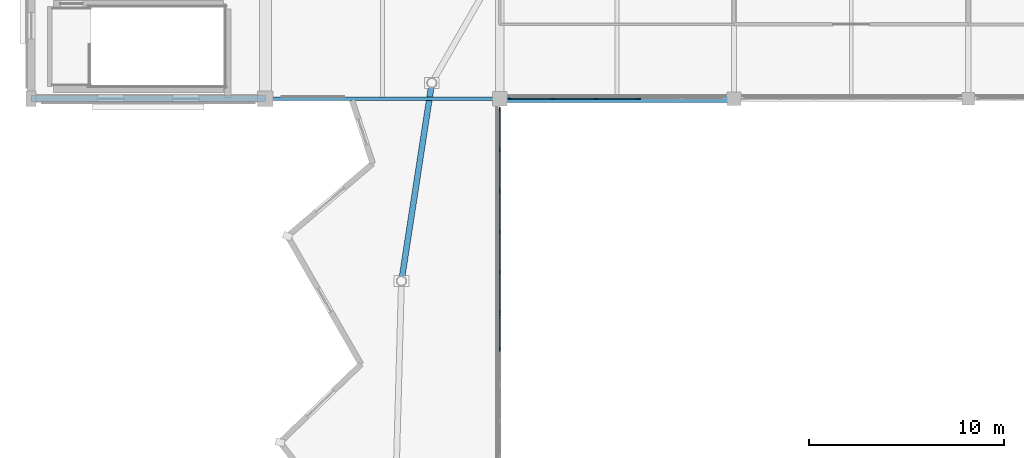
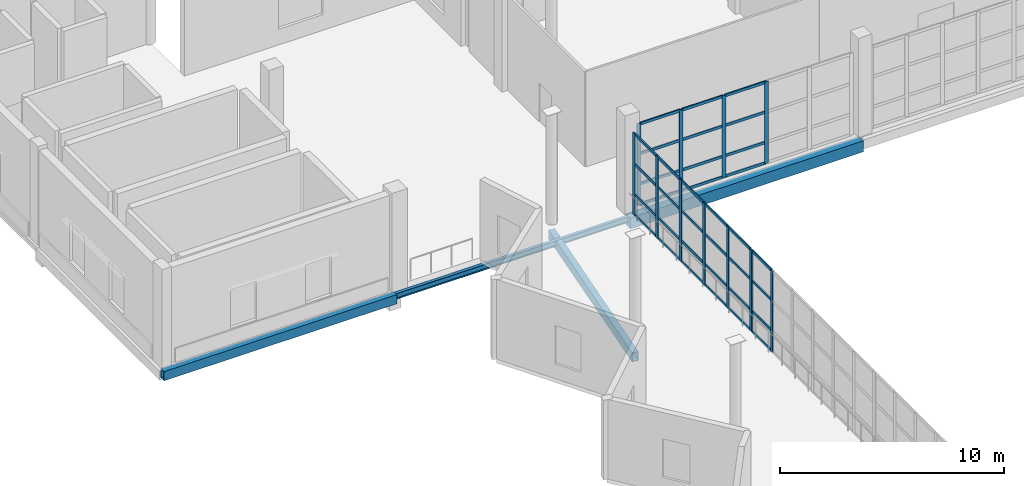
# One storey, part 21 of 49: 48 members, 4 beams, 3 elements without a shape of their own.
"""IFC4 building model written with IfcOpenShell, lengths in metres."""

from ifc_helpers import new_model, si_unit, direction, frame, origin, origin_2d, place, context, subcontext, project, spatial, rectangle, hollow_rectangle, i_section, extrude, material, material_profile, profile_set, type_object, element, aggregate, save


model = new_model("IFC4")

# Units and contexts
model_context = context("Model", 3, precision=1e-05, world=origin(), true_north=direction((0.0, 1.0)))
body_context = subcontext(model_context, "Body", "Model", "MODEL_VIEW")
ifc_project = project(units=[si_unit("LENGTHUNIT", "METRE"), si_unit("AREAUNIT", "SQUARE_METRE"), si_unit("VOLUMEUNIT", "CUBIC_METRE"), si_unit("PLANEANGLEUNIT", "RADIAN"), si_unit("MASSUNIT", "GRAM", prefix="KILO")], contexts=[model_context])

# Site, building, storey
site_placement = place(None, origin())
site = spatial("IfcSite", under=ifc_project, at=site_placement, CompositionType="ELEMENT")
building_placement = place(site_placement, origin())
building = spatial("IfcBuilding", under=site, at=building_placement, Name="Luwafu Chhajja Arena", CompositionType="ELEMENT")
storey_placement = place(building_placement, frame((0.0, 0.0, 24.300048828125)))
storey = spatial("IfcBuildingStorey", under=building, at=storey_placement, Name="L05", CompositionType="ELEMENT", Elevation=24.300048828125)

# Curtain wall, members
ifc_material_1 = material(Name="Anodised bronze aluminium", Category="aluminium")
curtain_wall_type = type_object("IfcCurtainWallType", Name="VIP Club Terrace Curtain Wall", PredefinedType="USERDEFINED", material=ifc_material_1)
curtain_wall_1_placement = place(storey_placement, origin())
curtain_wall_1 = element("IfcCurtainWall", 1, at=curtain_wall_1_placement, inside=storey, type_object=curtain_wall_type, Name="L05 Bowl Viewing Curtain Wall CWR-L05-08", ObjectType="CURTAIN WALL", PredefinedType="USERDEFINED")
ifc_material_profile_1 = material_profile(ifc_material_1, rectangle(XDim=0.06494140625, YDim=0.199951171875, at=origin_2d()), Name="CWM 65x200")
ifc_profile_set_1 = profile_set([ifc_material_profile_1], Name="Anodised bronze aluminium")
member_type_1 = type_object("IfcMemberType", Name="Bronze Curtain Wall Mullion 65x200", PredefinedType="MULLION", material=ifc_profile_set_1)
member_1_placement = place(storey_placement, frame((58.547607421875, 77.0, 0.0), z_axis=(0.0, 0.0, 1.0), x_axis=(0.0, 1.0, 0.0)))
member_1 = element("IfcMember", 2, at=member_1_placement, type_object=member_type_1, Name="CW-10 mullion 1", PredefinedType="MULLION", context=body_context, shape_type="SweptSolid", body=[
    extrude(rectangle(XDim=0.06494140625, YDim=0.199951171875, at=origin_2d()), origin(), (0.0, 0.0, 1.0), 4.449951171875),
])
member_2_placement = place(storey_placement, frame((60.714111328125, 77.0, 0.0), z_axis=(0.0, 0.0, 1.0), x_axis=(0.0, 1.0, 0.0)))
member_2 = element("IfcMember", 3, at=member_2_placement, type_object=member_type_1, Name="CW-10 mullion 2", PredefinedType="MULLION", context=body_context, shape_type="SweptSolid", body=[
    extrude(rectangle(XDim=0.06494140625, YDim=0.199951171875, at=origin_2d()), origin(), (0.0, 0.0, 1.0), 4.449951171875),
])
member_3_placement = place(storey_placement, frame((62.9130859375, 77.0, 0.0), z_axis=(0.0, 0.0, 1.0), x_axis=(0.0, 1.0, 0.0)))
member_3 = element("IfcMember", 4, at=member_3_placement, type_object=member_type_1, Name="CW-10 mullion 3", PredefinedType="MULLION", context=body_context, shape_type="SweptSolid", body=[
    extrude(rectangle(XDim=0.06494140625, YDim=0.199951171875, at=origin_2d()), origin(), (0.0, 0.0, 1.0), 4.449951171875),
])
member_4_placement = place(storey_placement, frame((65.112060546875, 77.0, 0.0), z_axis=(0.0, 0.0, 1.0), x_axis=(0.0, 1.0, 0.0)))
member_4 = element("IfcMember", 5, at=member_4_placement, type_object=member_type_1, Name="CW-10 mullion 4", PredefinedType="MULLION", context=body_context, shape_type="SweptSolid", body=[
    extrude(rectangle(XDim=0.06494140625, YDim=0.199951171875, at=origin_2d()), origin(), (0.0, 0.0, 1.0), 4.449951171875),
])

curtain_wall_2_placement = place(storey_placement, origin())
curtain_wall_2 = element("IfcCurtainWall", 6, at=curtain_wall_2_placement, inside=storey, type_object=curtain_wall_type, Name="L05 Bowl Viewing Curtain Wall CWR-L05-18", ObjectType="CURTAIN WALL", PredefinedType="USERDEFINED")
member_5_placement = place(storey_placement, frame((58.0, 64.166748046875, 0.0), z_axis=(0.0, 0.0, 1.0), x_axis=(-1.0, 0.0, 0.0)))
member_5 = element("IfcMember", 7, at=member_5_placement, type_object=member_type_1, Name="CW-10 mullion 6", PredefinedType="MULLION", context=body_context, shape_type="SweptSolid", body=[
    extrude(rectangle(XDim=0.06494140625, YDim=0.199951171875, at=origin_2d()), origin(), (0.0, 0.0, 1.0), 4.449951171875),
])
member_6_placement = place(storey_placement, frame((58.0, 65.967529296875, 0.0), z_axis=(0.0, 0.0, 1.0), x_axis=(-1.0, 0.0, 0.0)))
member_6 = element("IfcMember", 8, at=member_6_placement, type_object=member_type_1, Name="CW-10 mullion 7", PredefinedType="MULLION", context=body_context, shape_type="SweptSolid", body=[
    extrude(rectangle(XDim=0.06494140625, YDim=0.199951171875, at=origin_2d()), origin(), (0.0, 0.0, 1.0), 4.449951171875),
])

curtain_wall_3_placement = place(storey_placement, origin())
curtain_wall_3 = element("IfcCurtainWall", 9, at=curtain_wall_3_placement, inside=storey, type_object=curtain_wall_type, Name="L05 Bowl Viewing Curtain Wall CWR-L05-19", ObjectType="CURTAIN WALL", PredefinedType="USERDEFINED")
member_7_placement = place(storey_placement, frame((58.0, 66.032470703125, 0.0), z_axis=(0.0, 0.0, 1.0), x_axis=(-1.0, 0.0, 0.0)))
member_7 = element("IfcMember", 10, at=member_7_placement, type_object=member_type_1, Name="CW-10 mullion 1", PredefinedType="MULLION", context=body_context, shape_type="SweptSolid", body=[
    extrude(rectangle(XDim=0.06494140625, YDim=0.199951171875, at=origin_2d()), origin(), (0.0, 0.0, 1.0), 4.449951171875),
])
member_8_placement = place(storey_placement, frame((58.0, 68.096923828125, 0.0), z_axis=(0.0, 0.0, 1.0), x_axis=(-1.0, 0.0, 0.0)))
member_8 = element("IfcMember", 11, at=member_8_placement, type_object=member_type_1, Name="CW-10 mullion 2", PredefinedType="MULLION", context=body_context, shape_type="SweptSolid", body=[
    extrude(rectangle(XDim=0.06494140625, YDim=0.199951171875, at=origin_2d()), origin(), (0.0, 0.0, 1.0), 4.449951171875),
])
member_9_placement = place(storey_placement, frame((58.0, 70.194091796875, 0.0), z_axis=(0.0, 0.0, 1.0), x_axis=(-1.0, 0.0, 0.0)))
member_9 = element("IfcMember", 12, at=member_9_placement, type_object=member_type_1, Name="CW-10 mullion 3", PredefinedType="MULLION", context=body_context, shape_type="SweptSolid", body=[
    extrude(rectangle(XDim=0.06494140625, YDim=0.199951171875, at=origin_2d()), origin(), (0.0, 0.0, 1.0), 4.449951171875),
])
member_10_placement = place(storey_placement, frame((58.0, 72.291015625, 0.0), z_axis=(0.0, 0.0, 1.0), x_axis=(-1.0, 0.0, 0.0)))
member_10 = element("IfcMember", 13, at=member_10_placement, type_object=member_type_1, Name="CW-10 mullion 4", PredefinedType="MULLION", context=body_context, shape_type="SweptSolid", body=[
    extrude(rectangle(XDim=0.06494140625, YDim=0.199951171875, at=origin_2d()), origin(), (0.0, 0.0, 1.0), 4.449951171875),
])
member_11_placement = place(storey_placement, frame((58.0, 74.387939453125, 0.0), z_axis=(0.0, 0.0, 1.0), x_axis=(-1.0, 0.0, 0.0)))
member_11 = element("IfcMember", 14, at=member_11_placement, type_object=member_type_1, Name="CW-10 mullion 5", PredefinedType="MULLION", context=body_context, shape_type="SweptSolid", body=[
    extrude(rectangle(XDim=0.06494140625, YDim=0.199951171875, at=origin_2d()), origin(), (0.0, 0.0, 1.0), 4.449951171875),
])
member_12_placement = place(storey_placement, frame((58.0, 76.452392578125, 0.0), z_axis=(0.0, 0.0, 1.0), x_axis=(-1.0, 0.0, 0.0)))
member_12 = element("IfcMember", 15, at=member_12_placement, type_object=member_type_1, Name="CW-10 mullion 6", PredefinedType="MULLION", context=body_context, shape_type="SweptSolid", body=[
    extrude(rectangle(XDim=0.06494140625, YDim=0.199951171875, at=origin_2d()), origin(), (0.0, 0.0, 1.0), 4.449951171875),
])

# Member
ifc_material_profile_2 = material_profile(ifc_material_1, rectangle(XDim=0.06494140625, YDim=0.14990234375, at=origin_2d()), Name="CWT 65x150")
ifc_profile_set_2 = profile_set([ifc_material_profile_2], Name="Anodised bronze aluminium")
member_type_2 = type_object("IfcMemberType", Name="Bronze Curtain Wall Transom 65x150", PredefinedType="USERDEFINED", material=ifc_profile_set_2)
member_13_placement = place(storey_placement, frame((58.580078125, 77.0, 0.032470703125), z_axis=(1.0, 0.0, 0.0), x_axis=(0.0, 1.0, 0.0)))
member_13 = element("IfcMember", 16, at=member_13_placement, type_object=member_type_2, Name="CW-10 transom 1.1", ObjectType="TRANSOM", PredefinedType="USERDEFINED", context=body_context, shape_type="SweptSolid", body=[
    extrude(rectangle(XDim=0.06494140625, YDim=0.14990234375, at=origin_2d()), origin(), (0.0, 0.0, 1.0), 2.101318359375),
])

member_14_placement = place(storey_placement, frame((58.580078125, 77.0, 1.14990234375), z_axis=(1.0, 0.0, 0.0), x_axis=(0.0, 1.0, 0.0)))
member_14 = element("IfcMember", 17, at=member_14_placement, type_object=member_type_2, Name="CW-10 transom 1.2", ObjectType="TRANSOM", PredefinedType="USERDEFINED", context=body_context, shape_type="SweptSolid", body=[
    extrude(rectangle(XDim=0.06494140625, YDim=0.14990234375, at=origin_2d()), origin(), (0.0, 0.0, 1.0), 2.101318359375),
])

member_15_placement = place(storey_placement, frame((58.580078125, 77.0, 2.800048828125), z_axis=(1.0, 0.0, 0.0), x_axis=(0.0, 1.0, 0.0)))
member_15 = element("IfcMember", 18, at=member_15_placement, type_object=member_type_2, Name="CW-10 transom 1.3", ObjectType="TRANSOM", PredefinedType="USERDEFINED", context=body_context, shape_type="SweptSolid", body=[
    extrude(rectangle(XDim=0.06494140625, YDim=0.14990234375, at=origin_2d()), origin(), (0.0, 0.0, 1.0), 2.101318359375),
])

member_16_placement = place(storey_placement, frame((58.580078125, 77.0, 4.41748046875), z_axis=(1.0, 0.0, 0.0), x_axis=(0.0, 1.0, 0.0)))
member_16 = element("IfcMember", 19, at=member_16_placement, type_object=member_type_2, Name="CW-10 transom 1.4", ObjectType="TRANSOM", PredefinedType="USERDEFINED", context=body_context, shape_type="SweptSolid", body=[
    extrude(rectangle(XDim=0.06494140625, YDim=0.14990234375, at=origin_2d()), origin(), (0.0, 0.0, 1.0), 2.101318359375),
])

member_17_placement = place(storey_placement, frame((60.74658203125, 77.0, 0.032470703125), z_axis=(1.0, 0.0, 0.0), x_axis=(0.0, 1.0, 0.0)))
member_17 = element("IfcMember", 20, at=member_17_placement, type_object=member_type_2, Name="CW-10 transom 2.1", ObjectType="TRANSOM", PredefinedType="USERDEFINED", context=body_context, shape_type="SweptSolid", body=[
    extrude(rectangle(XDim=0.06494140625, YDim=0.14990234375, at=origin_2d()), origin(), (0.0, 0.0, 1.0), 2.134033203125),
])

member_18_placement = place(storey_placement, frame((60.74658203125, 77.0, 1.14990234375), z_axis=(1.0, 0.0, 0.0), x_axis=(0.0, 1.0, 0.0)))
member_18 = element("IfcMember", 21, at=member_18_placement, type_object=member_type_2, Name="CW-10 transom 2.2", ObjectType="TRANSOM", PredefinedType="USERDEFINED", context=body_context, shape_type="SweptSolid", body=[
    extrude(rectangle(XDim=0.06494140625, YDim=0.14990234375, at=origin_2d()), origin(), (0.0, 0.0, 1.0), 2.134033203125),
])

member_19_placement = place(storey_placement, frame((60.74658203125, 77.0, 2.800048828125), z_axis=(1.0, 0.0, 0.0), x_axis=(0.0, 1.0, 0.0)))
member_19 = element("IfcMember", 22, at=member_19_placement, type_object=member_type_2, Name="CW-10 transom 2.3", ObjectType="TRANSOM", PredefinedType="USERDEFINED", context=body_context, shape_type="SweptSolid", body=[
    extrude(rectangle(XDim=0.06494140625, YDim=0.14990234375, at=origin_2d()), origin(), (0.0, 0.0, 1.0), 2.134033203125),
])

member_20_placement = place(storey_placement, frame((60.74658203125, 77.0, 4.41748046875), z_axis=(1.0, 0.0, 0.0), x_axis=(0.0, 1.0, 0.0)))
member_20 = element("IfcMember", 23, at=member_20_placement, type_object=member_type_2, Name="CW-10 transom 2.4", ObjectType="TRANSOM", PredefinedType="USERDEFINED", context=body_context, shape_type="SweptSolid", body=[
    extrude(rectangle(XDim=0.06494140625, YDim=0.14990234375, at=origin_2d()), origin(), (0.0, 0.0, 1.0), 2.134033203125),
])

member_21_placement = place(storey_placement, frame((62.945556640625, 77.0, 0.032470703125), z_axis=(1.0, 0.0, 0.0), x_axis=(0.0, 1.0, 0.0)))
member_21 = element("IfcMember", 24, at=member_21_placement, type_object=member_type_2, Name="CW-10 transom 3.1", ObjectType="TRANSOM", PredefinedType="USERDEFINED", context=body_context, shape_type="SweptSolid", body=[
    extrude(rectangle(XDim=0.06494140625, YDim=0.14990234375, at=origin_2d()), origin(), (0.0, 0.0, 1.0), 2.134033203125),
])

member_22_placement = place(storey_placement, frame((62.945556640625, 77.0, 1.14990234375), z_axis=(1.0, 0.0, 0.0), x_axis=(0.0, 1.0, 0.0)))
member_22 = element("IfcMember", 25, at=member_22_placement, type_object=member_type_2, Name="CW-10 transom 3.2", ObjectType="TRANSOM", PredefinedType="USERDEFINED", context=body_context, shape_type="SweptSolid", body=[
    extrude(rectangle(XDim=0.06494140625, YDim=0.14990234375, at=origin_2d()), origin(), (0.0, 0.0, 1.0), 2.134033203125),
])

member_23_placement = place(storey_placement, frame((62.945556640625, 77.0, 2.800048828125), z_axis=(1.0, 0.0, 0.0), x_axis=(0.0, 1.0, 0.0)))
member_23 = element("IfcMember", 26, at=member_23_placement, type_object=member_type_2, Name="CW-10 transom 3.3", ObjectType="TRANSOM", PredefinedType="USERDEFINED", context=body_context, shape_type="SweptSolid", body=[
    extrude(rectangle(XDim=0.06494140625, YDim=0.14990234375, at=origin_2d()), origin(), (0.0, 0.0, 1.0), 2.134033203125),
])

member_24_placement = place(storey_placement, frame((62.945556640625, 77.0, 4.41748046875), z_axis=(1.0, 0.0, 0.0), x_axis=(0.0, 1.0, 0.0)))
member_24 = element("IfcMember", 27, at=member_24_placement, type_object=member_type_2, Name="CW-10 transom 3.4", ObjectType="TRANSOM", PredefinedType="USERDEFINED", context=body_context, shape_type="SweptSolid", body=[
    extrude(rectangle(XDim=0.06494140625, YDim=0.14990234375, at=origin_2d()), origin(), (0.0, 0.0, 1.0), 2.134033203125),
])

aggregate(curtain_wall_1, [member_1, member_2, member_3, member_4, member_13, member_14, member_15, member_16, member_17, member_18, member_19, member_20, member_21, member_22, member_23, member_24])

member_25_placement = place(storey_placement, frame((58.0, 64.19921875, 0.032470703125), z_axis=(0.0, 1.0, 0.0), x_axis=(-1.0, 0.0, 0.0)))
member_25 = element("IfcMember", 28, at=member_25_placement, type_object=member_type_2, Name="CW-10 transom 6.1", ObjectType="TRANSOM", PredefinedType="USERDEFINED", context=body_context, shape_type="SweptSolid", body=[
    extrude(rectangle(XDim=0.06494140625, YDim=0.14990234375, at=origin_2d()), origin(), (0.0, 0.0, 1.0), 1.73583984375),
])

member_26_placement = place(storey_placement, frame((58.0, 64.19921875, 1.14990234375), z_axis=(0.0, 1.0, 0.0), x_axis=(-1.0, 0.0, 0.0)))
member_26 = element("IfcMember", 29, at=member_26_placement, type_object=member_type_2, Name="CW-10 transom 6.2", ObjectType="TRANSOM", PredefinedType="USERDEFINED", context=body_context, shape_type="SweptSolid", body=[
    extrude(rectangle(XDim=0.06494140625, YDim=0.14990234375, at=origin_2d()), origin(), (0.0, 0.0, 1.0), 1.73583984375),
])

member_27_placement = place(storey_placement, frame((58.0, 64.19921875, 2.800048828125), z_axis=(0.0, 1.0, 0.0), x_axis=(-1.0, 0.0, 0.0)))
member_27 = element("IfcMember", 30, at=member_27_placement, type_object=member_type_2, Name="CW-10 transom 6.3", ObjectType="TRANSOM", PredefinedType="USERDEFINED", context=body_context, shape_type="SweptSolid", body=[
    extrude(rectangle(XDim=0.06494140625, YDim=0.14990234375, at=origin_2d()), origin(), (0.0, 0.0, 1.0), 1.73583984375),
])

member_28_placement = place(storey_placement, frame((58.0, 64.19921875, 4.41748046875), z_axis=(0.0, 1.0, 0.0), x_axis=(-1.0, 0.0, 0.0)))
member_28 = element("IfcMember", 31, at=member_28_placement, type_object=member_type_2, Name="CW-10 transom 6.4", ObjectType="TRANSOM", PredefinedType="USERDEFINED", context=body_context, shape_type="SweptSolid", body=[
    extrude(rectangle(XDim=0.06494140625, YDim=0.14990234375, at=origin_2d()), origin(), (0.0, 0.0, 1.0), 1.73583984375),
])

aggregate(curtain_wall_2, [member_5, member_6, member_25, member_26, member_27, member_28])

member_29_placement = place(storey_placement, frame((58.0, 66.06494140625, 0.032470703125), z_axis=(0.0, 1.0, 0.0), x_axis=(-1.0, 0.0, 0.0)))
member_29 = element("IfcMember", 32, at=member_29_placement, type_object=member_type_2, Name="CW-10 transom 1.1", ObjectType="TRANSOM", PredefinedType="USERDEFINED", context=body_context, shape_type="SweptSolid", body=[
    extrude(rectangle(XDim=0.06494140625, YDim=0.14990234375, at=origin_2d()), origin(), (0.0, 0.0, 1.0), 1.99951171875),
])

member_30_placement = place(storey_placement, frame((58.0, 66.06494140625, 1.14990234375), z_axis=(0.0, 1.0, 0.0), x_axis=(-1.0, 0.0, 0.0)))
member_30 = element("IfcMember", 33, at=member_30_placement, type_object=member_type_2, Name="CW-10 transom 1.2", ObjectType="TRANSOM", PredefinedType="USERDEFINED", context=body_context, shape_type="SweptSolid", body=[
    extrude(rectangle(XDim=0.06494140625, YDim=0.14990234375, at=origin_2d()), origin(), (0.0, 0.0, 1.0), 1.99951171875),
])

member_31_placement = place(storey_placement, frame((58.0, 66.06494140625, 2.800048828125), z_axis=(0.0, 1.0, 0.0), x_axis=(-1.0, 0.0, 0.0)))
member_31 = element("IfcMember", 34, at=member_31_placement, type_object=member_type_2, Name="CW-10 transom 1.3", ObjectType="TRANSOM", PredefinedType="USERDEFINED", context=body_context, shape_type="SweptSolid", body=[
    extrude(rectangle(XDim=0.06494140625, YDim=0.14990234375, at=origin_2d()), origin(), (0.0, 0.0, 1.0), 1.99951171875),
])

member_32_placement = place(storey_placement, frame((58.0, 66.06494140625, 4.41748046875), z_axis=(0.0, 1.0, 0.0), x_axis=(-1.0, 0.0, 0.0)))
member_32 = element("IfcMember", 35, at=member_32_placement, type_object=member_type_2, Name="CW-10 transom 1.4", ObjectType="TRANSOM", PredefinedType="USERDEFINED", context=body_context, shape_type="SweptSolid", body=[
    extrude(rectangle(XDim=0.06494140625, YDim=0.14990234375, at=origin_2d()), origin(), (0.0, 0.0, 1.0), 1.99951171875),
])

member_33_placement = place(storey_placement, frame((58.0, 68.12939453125, 0.032470703125), z_axis=(0.0, 1.0, 0.0), x_axis=(-1.0, 0.0, 0.0)))
member_33 = element("IfcMember", 36, at=member_33_placement, type_object=member_type_2, Name="CW-10 transom 2.1", ObjectType="TRANSOM", PredefinedType="USERDEFINED", context=body_context, shape_type="SweptSolid", body=[
    extrude(rectangle(XDim=0.06494140625, YDim=0.14990234375, at=origin_2d()), origin(), (0.0, 0.0, 1.0), 2.0322265625),
])

member_34_placement = place(storey_placement, frame((58.0, 68.12939453125, 1.14990234375), z_axis=(0.0, 1.0, 0.0), x_axis=(-1.0, 0.0, 0.0)))
member_34 = element("IfcMember", 37, at=member_34_placement, type_object=member_type_2, Name="CW-10 transom 2.2", ObjectType="TRANSOM", PredefinedType="USERDEFINED", context=body_context, shape_type="SweptSolid", body=[
    extrude(rectangle(XDim=0.06494140625, YDim=0.14990234375, at=origin_2d()), origin(), (0.0, 0.0, 1.0), 2.0322265625),
])

member_35_placement = place(storey_placement, frame((58.0, 68.12939453125, 2.800048828125), z_axis=(0.0, 1.0, 0.0), x_axis=(-1.0, 0.0, 0.0)))
member_35 = element("IfcMember", 38, at=member_35_placement, type_object=member_type_2, Name="CW-10 transom 2.3", ObjectType="TRANSOM", PredefinedType="USERDEFINED", context=body_context, shape_type="SweptSolid", body=[
    extrude(rectangle(XDim=0.06494140625, YDim=0.14990234375, at=origin_2d()), origin(), (0.0, 0.0, 1.0), 2.0322265625),
])

member_36_placement = place(storey_placement, frame((58.0, 68.12939453125, 4.41748046875), z_axis=(0.0, 1.0, 0.0), x_axis=(-1.0, 0.0, 0.0)))
member_36 = element("IfcMember", 39, at=member_36_placement, type_object=member_type_2, Name="CW-10 transom 2.4", ObjectType="TRANSOM", PredefinedType="USERDEFINED", context=body_context, shape_type="SweptSolid", body=[
    extrude(rectangle(XDim=0.06494140625, YDim=0.14990234375, at=origin_2d()), origin(), (0.0, 0.0, 1.0), 2.0322265625),
])

member_37_placement = place(storey_placement, frame((58.0, 70.2265625, 0.032470703125), z_axis=(0.0, 1.0, 0.0), x_axis=(-1.0, 0.0, 0.0)))
member_37 = element("IfcMember", 40, at=member_37_placement, type_object=member_type_2, Name="CW-10 transom 3.1", ObjectType="TRANSOM", PredefinedType="USERDEFINED", context=body_context, shape_type="SweptSolid", body=[
    extrude(rectangle(XDim=0.06494140625, YDim=0.14990234375, at=origin_2d()), origin(), (0.0, 0.0, 1.0), 2.031982421875),
])

member_38_placement = place(storey_placement, frame((58.0, 70.2265625, 1.14990234375), z_axis=(0.0, 1.0, 0.0), x_axis=(-1.0, 0.0, 0.0)))
member_38 = element("IfcMember", 41, at=member_38_placement, type_object=member_type_2, Name="CW-10 transom 3.2", ObjectType="TRANSOM", PredefinedType="USERDEFINED", context=body_context, shape_type="SweptSolid", body=[
    extrude(rectangle(XDim=0.06494140625, YDim=0.14990234375, at=origin_2d()), origin(), (0.0, 0.0, 1.0), 2.031982421875),
])

member_39_placement = place(storey_placement, frame((58.0, 70.2265625, 2.800048828125), z_axis=(0.0, 1.0, 0.0), x_axis=(-1.0, 0.0, 0.0)))
member_39 = element("IfcMember", 42, at=member_39_placement, type_object=member_type_2, Name="CW-10 transom 3.3", ObjectType="TRANSOM", PredefinedType="USERDEFINED", context=body_context, shape_type="SweptSolid", body=[
    extrude(rectangle(XDim=0.06494140625, YDim=0.14990234375, at=origin_2d()), origin(), (0.0, 0.0, 1.0), 2.031982421875),
])

member_40_placement = place(storey_placement, frame((58.0, 70.2265625, 4.41748046875), z_axis=(0.0, 1.0, 0.0), x_axis=(-1.0, 0.0, 0.0)))
member_40 = element("IfcMember", 43, at=member_40_placement, type_object=member_type_2, Name="CW-10 transom 3.4", ObjectType="TRANSOM", PredefinedType="USERDEFINED", context=body_context, shape_type="SweptSolid", body=[
    extrude(rectangle(XDim=0.06494140625, YDim=0.14990234375, at=origin_2d()), origin(), (0.0, 0.0, 1.0), 2.031982421875),
])

member_41_placement = place(storey_placement, frame((58.0, 72.323486328125, 0.032470703125), z_axis=(0.0, 1.0, 0.0), x_axis=(-1.0, 0.0, 0.0)))
member_41 = element("IfcMember", 44, at=member_41_placement, type_object=member_type_2, Name="CW-10 transom 4.1", ObjectType="TRANSOM", PredefinedType="USERDEFINED", context=body_context, shape_type="SweptSolid", body=[
    extrude(rectangle(XDim=0.06494140625, YDim=0.14990234375, at=origin_2d()), origin(), (0.0, 0.0, 1.0), 2.031982421875),
])

member_42_placement = place(storey_placement, frame((58.0, 72.323486328125, 1.14990234375), z_axis=(0.0, 1.0, 0.0), x_axis=(-1.0, 0.0, 0.0)))
member_42 = element("IfcMember", 45, at=member_42_placement, type_object=member_type_2, Name="CW-10 transom 4.2", ObjectType="TRANSOM", PredefinedType="USERDEFINED", context=body_context, shape_type="SweptSolid", body=[
    extrude(rectangle(XDim=0.06494140625, YDim=0.14990234375, at=origin_2d()), origin(), (0.0, 0.0, 1.0), 2.031982421875),
])

member_43_placement = place(storey_placement, frame((58.0, 72.323486328125, 2.800048828125), z_axis=(0.0, 1.0, 0.0), x_axis=(-1.0, 0.0, 0.0)))
member_43 = element("IfcMember", 46, at=member_43_placement, type_object=member_type_2, Name="CW-10 transom 4.3", ObjectType="TRANSOM", PredefinedType="USERDEFINED", context=body_context, shape_type="SweptSolid", body=[
    extrude(rectangle(XDim=0.06494140625, YDim=0.14990234375, at=origin_2d()), origin(), (0.0, 0.0, 1.0), 2.031982421875),
])

member_44_placement = place(storey_placement, frame((58.0, 72.323486328125, 4.41748046875), z_axis=(0.0, 1.0, 0.0), x_axis=(-1.0, 0.0, 0.0)))
member_44 = element("IfcMember", 47, at=member_44_placement, type_object=member_type_2, Name="CW-10 transom 4.4", ObjectType="TRANSOM", PredefinedType="USERDEFINED", context=body_context, shape_type="SweptSolid", body=[
    extrude(rectangle(XDim=0.06494140625, YDim=0.14990234375, at=origin_2d()), origin(), (0.0, 0.0, 1.0), 2.031982421875),
])

member_45_placement = place(storey_placement, frame((58.0, 74.42041015625, 0.032470703125), z_axis=(0.0, 1.0, 0.0), x_axis=(-1.0, 0.0, 0.0)))
member_45 = element("IfcMember", 48, at=member_45_placement, type_object=member_type_2, Name="CW-10 transom 5.1", ObjectType="TRANSOM", PredefinedType="USERDEFINED", context=body_context, shape_type="SweptSolid", body=[
    extrude(rectangle(XDim=0.06494140625, YDim=0.14990234375, at=origin_2d()), origin(), (0.0, 0.0, 1.0), 1.99951171875),
])

member_46_placement = place(storey_placement, frame((58.0, 74.42041015625, 1.14990234375), z_axis=(0.0, 1.0, 0.0), x_axis=(-1.0, 0.0, 0.0)))
member_46 = element("IfcMember", 49, at=member_46_placement, type_object=member_type_2, Name="CW-10 transom 5.2", ObjectType="TRANSOM", PredefinedType="USERDEFINED", context=body_context, shape_type="SweptSolid", body=[
    extrude(rectangle(XDim=0.06494140625, YDim=0.14990234375, at=origin_2d()), origin(), (0.0, 0.0, 1.0), 1.99951171875),
])

member_47_placement = place(storey_placement, frame((58.0, 74.42041015625, 2.800048828125), z_axis=(0.0, 1.0, 0.0), x_axis=(-1.0, 0.0, 0.0)))
member_47 = element("IfcMember", 50, at=member_47_placement, type_object=member_type_2, Name="CW-10 transom 5.3", ObjectType="TRANSOM", PredefinedType="USERDEFINED", context=body_context, shape_type="SweptSolid", body=[
    extrude(rectangle(XDim=0.06494140625, YDim=0.14990234375, at=origin_2d()), origin(), (0.0, 0.0, 1.0), 1.99951171875),
])

member_48_placement = place(storey_placement, frame((58.0, 74.42041015625, 4.41748046875), z_axis=(0.0, 1.0, 0.0), x_axis=(-1.0, 0.0, 0.0)))
member_48 = element("IfcMember", 51, at=member_48_placement, type_object=member_type_2, Name="CW-10 transom 5.4", ObjectType="TRANSOM", PredefinedType="USERDEFINED", context=body_context, shape_type="SweptSolid", body=[
    extrude(rectangle(XDim=0.06494140625, YDim=0.14990234375, at=origin_2d()), origin(), (0.0, 0.0, 1.0), 1.99951171875),
])

aggregate(curtain_wall_3, [member_7, member_8, member_9, member_10, member_11, member_12, member_29, member_30, member_31, member_32, member_33, member_34, member_35, member_36, member_37, member_38, member_39, member_40, member_41, member_42, member_43, member_44, member_45, member_46, member_47, member_48])

# Beams
ifc_material_2 = material(Name="Steel S355", Category="steel")
ifc_material_profile_3 = material_profile(ifc_material_2, i_section(OverallWidth=0.165771484375, OverallDepth=0.306640625, WebThickness=0.006591796875, FlangeThickness=0.01171875, at=origin_2d()), Name="UB 305x165x46")
ifc_profile_set_3 = profile_set([ifc_material_profile_3], Name="Steel S355")
beam_type_1 = type_object("IfcBeamType", Name="Concourse Edge Spandrel Beam UB 305x165x46", PredefinedType="SPANDREL", material=ifc_profile_set_3)
beam_1_placement = place(storey_placement, frame((46.0, 77.0, -0.54345703125), z_axis=(1.0, 0.0, 0.0), x_axis=(0.0, 1.0, 0.0)))
element("IfcBeam", 52, at=beam_1_placement, inside=storey, type_object=beam_type_1, Name="L05 Grid Beam 5-6/H", PredefinedType="SPANDREL", context=body_context, shape_type="SweptSolid", body=[
    extrude(i_section(OverallWidth=0.165771484375, OverallDepth=0.306640625, WebThickness=0.006591796875, FlangeThickness=0.01171875, at=origin_2d()), origin(), (0.0, 0.0, 1.0), 12.0),
])
ifc_material_profile_4 = material_profile(ifc_material_2, hollow_rectangle(XDim=0.300048828125, YDim=0.5, WallThickness=0.02001953125, at=origin_2d()), Name="RHS 500x300x20")
ifc_profile_set_4 = profile_set([ifc_material_profile_4], Name="Steel S355")
beam_type_2 = type_object("IfcBeamType", Name="Pleated Drum Spandrel Beam RHS 500x300", PredefinedType="SPANDREL", material=ifc_profile_set_4)
beam_2_placement = place(storey_placement, frame((34.0, 77.0, -0.64013671875), z_axis=(1.0, 0.0, 0.0), x_axis=(0.0, 1.0, 0.0)))
element("IfcBeam", 53, at=beam_2_placement, inside=storey, type_object=beam_type_2, Name="L05 Grid Beam 4-5/H", PredefinedType="SPANDREL", context=body_context, shape_type="SweptSolid", body=[
    extrude(hollow_rectangle(XDim=0.300048828125, YDim=0.5, WallThickness=0.02001953125, at=origin_2d()), origin(), (0.0, 0.0, 1.0), 12.0),
])
beam_3_placement = place(storey_placement, frame((54.52392578125, 77.805908203125, -0.64013671875), z_axis=(-0.1515977802, -0.988442265911, 0.0), x_axis=(0.988442265911, -0.1515977802, 0.0)))
element("IfcBeam", 54, at=beam_3_placement, inside=storey, type_object=beam_type_2, Name="L05 Drum Ring Spandrel D14-D15", PredefinedType="SPANDREL", context=body_context, shape_type="SweptSolid", body=[
    extrude(hollow_rectangle(XDim=0.300048828125, YDim=0.5, WallThickness=0.02001953125, at=origin_2d()), origin(), (0.0, 0.0, 1.0), 10.263427734375),
])
ifc_material_3 = material(Name="Concrete C35/45", Category="concrete")
ifc_material_profile_5 = material_profile(ifc_material_3, rectangle(XDim=0.39990234375, YDim=0.60009765625, at=origin_2d()), Name="RC 400x600")
ifc_profile_set_5 = profile_set([ifc_material_profile_5], Name="Concrete C35/45")
beam_type_3 = type_object("IfcBeamType", Name="Podium Perimeter Spandrel RC 400x600", PredefinedType="SPANDREL", material=ifc_profile_set_5)
beam_4_placement = place(storey_placement, frame((58.0, 77.0, -0.68994140625), z_axis=(1.0, 0.0, 0.0), x_axis=(0.0, 1.0, 0.0)))
element("IfcBeam", 55, at=beam_4_placement, inside=storey, type_object=beam_type_3, Name="L05 Grid Beam 6-7/H", PredefinedType="SPANDREL", context=body_context, shape_type="SweptSolid", body=[
    extrude(rectangle(XDim=0.39990234375, YDim=0.60009765625, at=origin_2d()), origin(), (0.0, 0.0, 1.0), 12.0),
])

save(model, "model.ifc")
